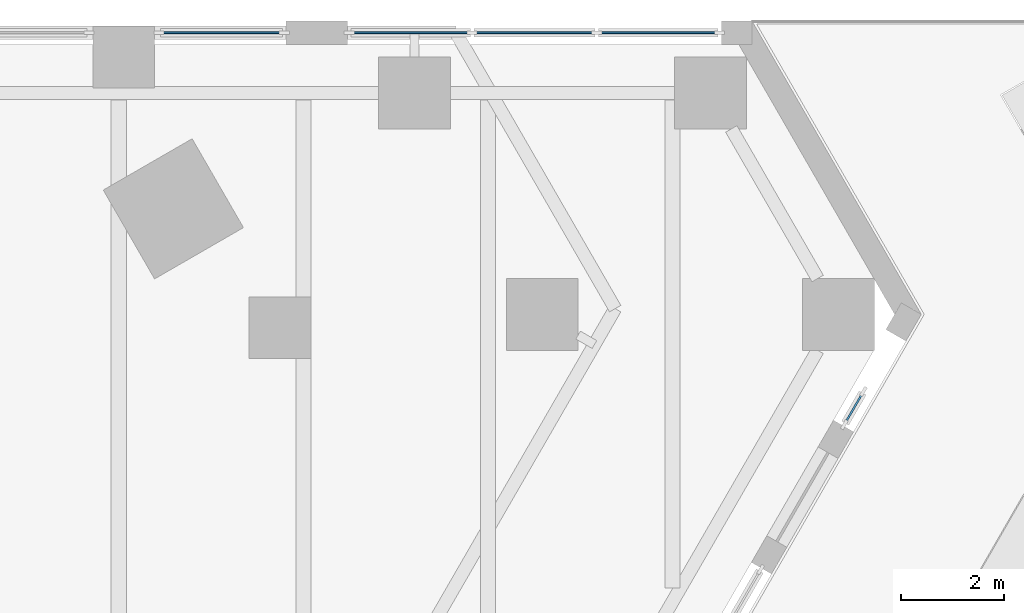
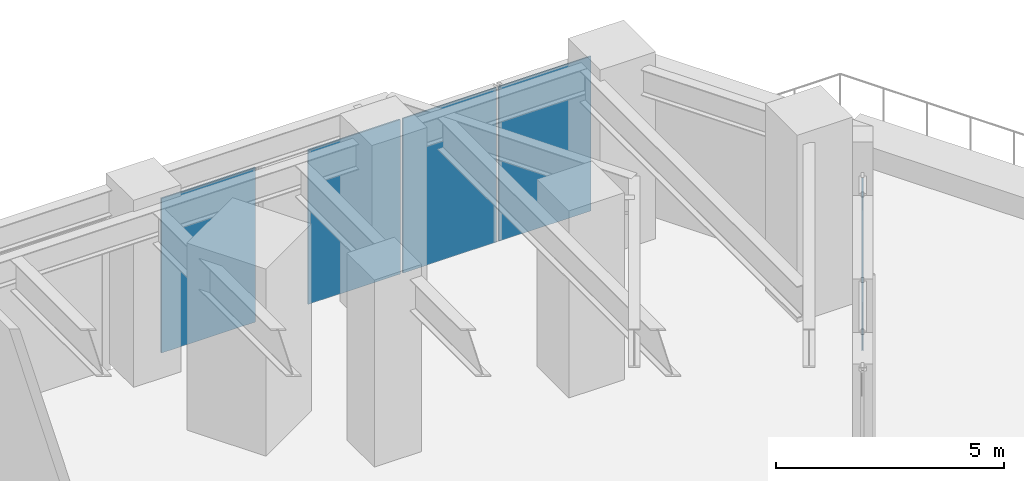
# One storey, part 20 of 31: 5 plates, 3 elements without a shape of their own.
"""IFC4 building model written with IfcOpenShell, lengths in metres."""

from ifc_helpers import new_model, si_unit, direction, frame, origin, origin_2d, place, context, subcontext, project, spatial, rectangle, extrude, material, layer, layer_set, type_object, element, aggregate, save


model = new_model("IFC4")

# Units and contexts
model_context = context("Model", 3, precision=1e-05, world=origin(), true_north=direction((0.0, 1.0)))
body_context = subcontext(model_context, "Body", "Model", "MODEL_VIEW")
ifc_project = project(units=[si_unit("LENGTHUNIT", "METRE"), si_unit("AREAUNIT", "SQUARE_METRE"), si_unit("VOLUMEUNIT", "CUBIC_METRE"), si_unit("PLANEANGLEUNIT", "RADIAN"), si_unit("MASSUNIT", "GRAM", prefix="KILO")], contexts=[model_context])

# Site, building, storey
site_placement = place(None, origin())
site = spatial("IfcSite", under=ifc_project, at=site_placement, CompositionType="ELEMENT")
building_placement = place(site_placement, origin())
building = spatial("IfcBuilding", under=site, at=building_placement, Name="Aloe Facet Convention Tower", CompositionType="ELEMENT")
storey_placement = place(building_placement, frame((0.0, 0.0, 25.0)))
storey = spatial("IfcBuildingStorey", under=building, at=storey_placement, Name="L04", CompositionType="ELEMENT", Elevation=25.0)

# Curtain wall, plates
ifc_material_1 = material(Name="Aluminium, anodised", Category="aluminium")
curtain_wall_type = type_object("IfcCurtainWallType", Name="EV-CW-HALL", PredefinedType="USERDEFINED", material=ifc_material_1)
curtain_wall_1_placement = place(storey_placement, origin())
curtain_wall_1 = element("IfcCurtainWall", 1, at=curtain_wall_1_placement, inside=storey, type_object=curtain_wall_type, Name="CW-L04-N02", ObjectType="UNITISED HALL GLAZING", PredefinedType="USERDEFINED")
ifc_material_2 = material(Name="Clear double glazing", Category="glass")
ifc_layer = layer(ifc_material_2, 0.035888671875)
ifc_layer_set = layer_set([ifc_layer], Name="EV-PANEL-HALL")
plate_type = type_object("IfcPlateType", Name="EV-PANEL-HALL", PredefinedType="CURTAIN_PANEL", material=ifc_layer_set)
plate_1_placement = place(storey_placement, frame((112.1162109375, 134.77490234375, -0.18505859375), z_axis=(0.0, 0.0, 1.0), x_axis=(-1.0, 0.0, 0.0)))
plate_1 = element("IfcPlate", 2, at=plate_1_placement, type_object=plate_type, Name="CW-L04-N02 panel 1.1", PredefinedType="CURTAIN_PANEL", context=body_context, shape_type="SweptSolid", body=[
    extrude(rectangle(XDim=2.331298828125, YDim=0.035888671875, at=origin_2d()), origin(), (0.0, 0.0, 1.0), 4.132568359375),
])
plate_2_placement = place(storey_placement, frame((109.70361328125, 134.77490234375, -0.18505859375), z_axis=(0.0, 0.0, 1.0), x_axis=(-1.0, 0.0, 0.0)))
plate_2 = element("IfcPlate", 3, at=plate_2_placement, type_object=plate_type, Name="CW-L04-N02 panel 2.1", PredefinedType="CURTAIN_PANEL", context=body_context, shape_type="SweptSolid", body=[
    extrude(rectangle(XDim=2.364013671875, YDim=0.035888671875, at=origin_2d()), origin(), (0.0, 0.0, 1.0), 4.132568359375),
])
plate_3_placement = place(storey_placement, frame((107.291015625, 134.77490234375, -0.18505859375), z_axis=(0.0, 0.0, 1.0), x_axis=(-1.0, 0.0, 0.0)))
plate_3 = element("IfcPlate", 4, at=plate_3_placement, type_object=plate_type, Name="CW-L04-N02 panel 3.1", PredefinedType="CURTAIN_PANEL", context=body_context, shape_type="SweptSolid", body=[
    extrude(rectangle(XDim=2.331298828125, YDim=0.035888671875, at=origin_2d()), origin(), (0.0, 0.0, 1.0), 4.132568359375),
])
aggregate(curtain_wall_1, [plate_1, plate_2, plate_3])

# Curtain wall, plate
curtain_wall_2_placement = place(storey_placement, origin())
curtain_wall_2 = element("IfcCurtainWall", 5, at=curtain_wall_2_placement, inside=storey, type_object=curtain_wall_type, Name="CW-L04-N04-1", ObjectType="UNITISED HALL GLAZING", PredefinedType="USERDEFINED")
plate_4_placement = place(storey_placement, frame((103.605224609375, 134.77490234375, -0.18505859375), z_axis=(0.0, 0.0, 1.0), x_axis=(-1.0, 0.0, 0.0)))
plate_4 = element("IfcPlate", 6, at=plate_4_placement, type_object=plate_type, Name="CW-L04-N04-1 panel 1.1", PredefinedType="CURTAIN_PANEL", context=body_context, shape_type="SweptSolid", body=[
    extrude(rectangle(XDim=2.38037109375, YDim=0.035888671875, at=origin_2d()), origin(), (0.0, 0.0, 1.0), 4.132568359375),
])
aggregate(curtain_wall_2, [plate_4])

curtain_wall_3_placement = place(storey_placement, origin())
curtain_wall_3 = element("IfcCurtainWall", 7, at=curtain_wall_3_placement, inside=storey, type_object=curtain_wall_type, Name="CW-L04-E16B", ObjectType="UNITISED HALL GLAZING", PredefinedType="USERDEFINED")
plate_5_placement = place(storey_placement, frame((115.93310546875, 127.458251953125, -0.18505859375), z_axis=(0.0, 0.0, 1.0), x_axis=(0.500000000635, 0.866025403418, 0.0)))
plate_5 = element("IfcPlate", 8, at=plate_5_placement, type_object=plate_type, Name="CW-L04-E16B panel 1.1", PredefinedType="CURTAIN_PANEL", context=body_context, shape_type="SweptSolid", body=[
    extrude(rectangle(XDim=0.68017578125, YDim=0.035888671875, at=origin_2d()), origin(), (0.0, 0.0, 1.0), 4.132568359375),
])
aggregate(curtain_wall_3, [plate_5])

save(model, "model.ifc")
